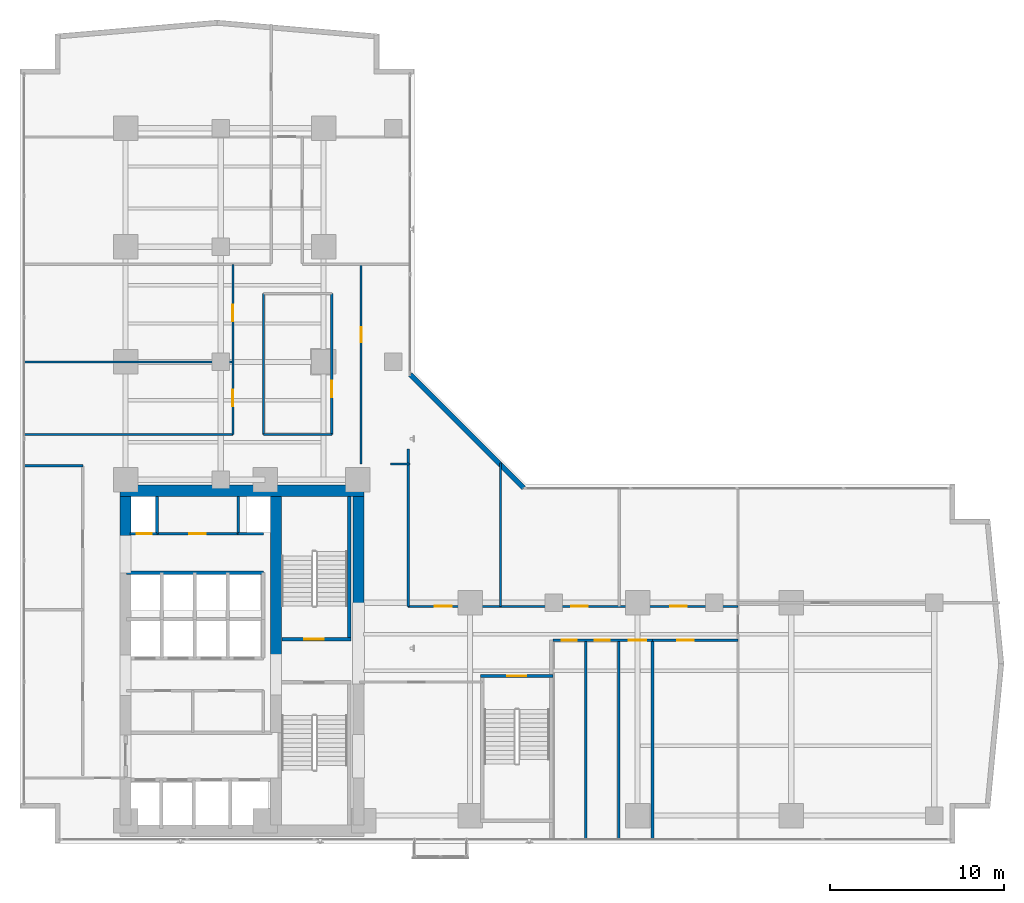
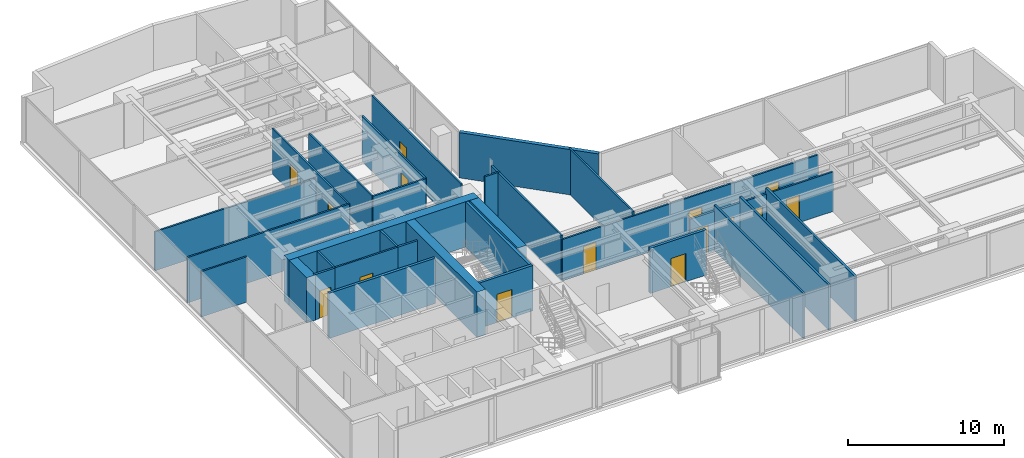
# One storey, part 20 of 26: 31 walls, 15 doors, 15 openings.
"""IFC4 building model written with IfcOpenShell, lengths in metres."""

from ifc_helpers import new_model, si_unit, direction, frame, frame_2d, origin, place, context, subcontext, project, spatial, rectangle, extrude, material, layer, layer_set, type_object, element, fill, save


model = new_model("IFC4")

# Units and contexts
model_context = context("Model", 3, precision=1e-05, world=origin(), true_north=direction((0.0, 1.0)))
body_context = subcontext(model_context, "Body", "Model", "MODEL_VIEW")
ifc_project = project(units=[si_unit("LENGTHUNIT", "METRE"), si_unit("AREAUNIT", "SQUARE_METRE"), si_unit("VOLUMEUNIT", "CUBIC_METRE"), si_unit("PLANEANGLEUNIT", "RADIAN"), si_unit("MASSUNIT", "GRAM", prefix="KILO")], contexts=[model_context])

# Site, building, storey
site_placement = place(None, origin())
site = spatial("IfcSite", under=ifc_project, at=site_placement, CompositionType="ELEMENT")
building_placement = place(site_placement, origin())
building = spatial("IfcBuilding", under=site, at=building_placement, Name="Kolvaren Waterfront Exchange", CompositionType="ELEMENT")
storey_placement = place(building_placement, frame((0.0, 0.0, 122.10009765625)))
storey = spatial("IfcBuildingStorey", under=building, at=storey_placement, Name="L31", CompositionType="ELEMENT", Elevation=122.10009765625)

# Wall
ifc_material_1 = material(Name="Precast concrete C40/50", Category="concrete")
ifc_layer_1 = layer(ifc_material_1, 0.280029296875, Name="Precast concrete C40/50")
ifc_layer_set_1 = layer_set([ifc_layer_1], Name="Precast concrete C40/50")
wall_type_1 = type_object("IfcWallType", Name="ARC-EXT-TERR-280", PredefinedType="SOLIDWALL", material=ifc_layer_set_1)
wall_1_placement = place(storey_placement, frame((30.284912109375, 23.97509765625, 0.0), z_axis=(0.0, 0.0, 1.0), x_axis=(-0.707106781187, 0.707106781187, 0.0)))
element("IfcWall", 1, at=wall_1_placement, inside=storey, type_object=wall_type_1, Name="L31 notched corner spandrel pier ELBOW", PredefinedType="SOLIDWALL", context=body_context, shape_type="SweptSolid", body=[
    extrude(rectangle(XDim=9.20654296875, YDim=0.280029296875, at=frame_2d((4.603271484375, 0.0))), origin(), (0.0, 0.0, 1.0), 3.539794921875),
])

# Wall, opening, door
ifc_layer_2 = layer(ifc_material_1, 0.199951171875, Name="Precast concrete C40/50")
ifc_layer_set_2 = layer_set([ifc_layer_2], Name="Precast concrete C40/50")
wall_type_2 = type_object("IfcWallType", Name="ARC-FIRE-200", PredefinedType="PARTITIONING", material=ifc_layer_set_2)
wall_2_placement = place(storey_placement, frame((16.409912109375, 15.300048828125, 0.0), z_axis=(0.0, 0.0, 1.0), x_axis=(1.0, 0.0, 0.0)))
wall_2 = element("IfcWall", 2, at=wall_2_placement, inside=storey, type_object=wall_type_2, Name="L31 interior wall PW-L31-ST2-THROAT-N", PredefinedType="PARTITIONING", context=body_context, shape_type="SweptSolid", body=[
    extrude(rectangle(XDim=3.9501953125, YDim=0.199951171875, at=frame_2d((1.97509765625, 0.0))), origin(), (0.0, 0.0, 1.0), 3.539794921875),
])
opening_1_placement = place(wall_2_placement, frame((1.293701171875, 0.0, 0.0)))
opening_1 = element("IfcOpeningElement", 3, at=opening_1_placement, cuts=wall_2, Name="Opening FD2", PredefinedType="OPENING", context=body_context, shape_type="SweptSolid", body=[
    extrude(rectangle(XDim=1.10009765625, YDim=2.199951171875, at=frame_2d((0.550048828125, 1.10009765625))), frame((0.0, 0.10986328125, 0.0), z_axis=(0.0, -1.0, 0.0), x_axis=(1.0, 0.0, 0.0)), (0.0, 0.0, 1.0), 0.219970703125),
])
ifc_material_2 = material(Name="Pressed steel smoke-seal fire door", Category="steel")
door_type_1 = type_object("IfcDoorType", Name="ARC-FD-1100", OperationType="NOTDEFINED", PredefinedType="DOOR", material=ifc_material_2)
door_1_placement = place(opening_1_placement, origin())
door_1 = element("IfcDoor", 4, at=door_1_placement, inside=storey, type_object=door_type_1, Name="L31 door DR-L31-ST2-IN (FD2)", OperationType="SINGLE_SWING_RIGHT", OverallHeight=2.199951171875, OverallWidth=1.10009765625, PredefinedType="DOOR", context=body_context, shape_type="SweptSolid", body=[
    extrude(rectangle(XDim=1.10009765625, YDim=2.199951171875, at=frame_2d((0.550048828125, 1.10009765625))), frame((0.0, 0.02490234375, 0.0), z_axis=(0.0, -1.0, 0.0), x_axis=(1.0, 0.0, 0.0)), (0.0, 0.0, 1.0), 0.050048828125),
])
fill(opening_1, door_1)

ifc_material_3 = material(Name="Acoustic gypsum steel stud", Category="steel")
ifc_layer_3 = layer(ifc_material_3, 0.125, Name="Acoustic gypsum steel stud")
ifc_layer_set_3 = layer_set([ifc_layer_3], Name="Acoustic gypsum steel stud")
wall_type_3 = type_object("IfcWallType", Name="ARC-PART-125", PredefinedType="PARTITIONING", material=ifc_layer_set_3)
wall_3_placement = place(storey_placement, frame((9.25, 21.35009765625, 0.0), z_axis=(0.0, 0.0, 1.0), x_axis=(1.0, 0.0, 0.0)))
wall_3 = element("IfcWall", 5, at=wall_3_placement, inside=storey, type_object=wall_type_3, Name="L31 interior wall PW-L31-SVC-EX-S", PredefinedType="PARTITIONING", context=body_context, shape_type="SweptSolid", body=[
    extrude(rectangle(XDim=4.64990234375, YDim=0.125, at=frame_2d((2.324951171875, 0.0))), origin(), (0.0, 0.0, 1.0), 3.539794921875),
])
opening_2_placement = place(wall_3_placement, frame((1.85009765625, 0.0, 0.0)))
opening_2 = element("IfcOpeningElement", 6, at=opening_2_placement, cuts=wall_3, Name="Opening D02", PredefinedType="OPENING", context=body_context, shape_type="SweptSolid", body=[
    extrude(rectangle(XDim=0.949951171875, YDim=2.14990234375, at=frame_2d((0.47509765625, 1.074951171875))), frame((0.0, 0.072509765625, 0.0), z_axis=(0.0, -1.0, 0.0), x_axis=(1.0, 0.0, 0.0)), (0.0, 0.0, 1.0), 0.14501953125),
])
ifc_material_4 = material(Name="Oak veneer acoustic timber", Category="wood")
door_type_2 = type_object("IfcDoorType", Name="ARC-DR-950", OperationType="NOTDEFINED", PredefinedType="DOOR", material=ifc_material_4)
door_2_placement = place(opening_2_placement, origin())
door_2 = element("IfcDoor", 7, at=door_2_placement, inside=storey, type_object=door_type_2, Name="L31 door DR-L31-SVC-DR-1 (D02)", OperationType="SINGLE_SWING_RIGHT", OverallHeight=2.14990234375, OverallWidth=0.949951171875, PredefinedType="DOOR", context=body_context, shape_type="SweptSolid", body=[
    extrude(rectangle(XDim=0.949951171875, YDim=2.14990234375, at=frame_2d((0.47509765625, 1.074951171875))), frame((0.0, 0.02490234375, 0.0), z_axis=(0.0, -1.0, 0.0), x_axis=(1.0, 0.0, 0.0)), (0.0, 0.0, 1.0), 0.050048828125),
])
fill(opening_2, door_2)

# Walls
wall_4_placement = place(storey_placement, frame((15.35009765625, 27.050048828125, 0.0), z_axis=(0.0, 0.0, 1.0), x_axis=(1.0, 0.0, 0.0)))
element("IfcWall", 8, at=wall_4_placement, inside=storey, type_object=wall_type_3, Name="L31 interior wall PW-L31-ISL-S", PredefinedType="PARTITIONING", context=body_context, shape_type="SweptSolid", body=[
    extrude(rectangle(XDim=3.919921875, YDim=0.125, at=frame_2d((1.9599609375, 0.0))), origin(), (0.0, 0.0, 1.0), 3.539794921875),
])
wall_5_placement = place(storey_placement, frame((15.35009765625, 27.050048828125, 0.0), z_axis=(0.0, 0.0, 1.0), x_axis=(0.0, 1.0, 0.0)))
element("IfcWall", 9, at=wall_5_placement, inside=storey, type_object=wall_type_3, Name="L31 interior wall PW-L31-ISL-W", PredefinedType="PARTITIONING", context=body_context, shape_type="SweptSolid", body=[
    extrude(rectangle(XDim=8.070068359375, YDim=0.125, at=frame_2d((4.03515625, 0.0))), origin(), (0.0, 0.0, 1.0), 3.539794921875),
])

# Wall, opening, door
wall_6_placement = place(storey_placement, frame((19.27001953125, 27.050048828125, 0.0), z_axis=(0.0, 0.0, 1.0), x_axis=(0.0, 1.0, 0.0)))
wall_6 = element("IfcWall", 10, at=wall_6_placement, inside=storey, type_object=wall_type_3, Name="L31 interior wall PW-L31-ISL-E", PredefinedType="PARTITIONING", context=body_context, shape_type="SweptSolid", body=[
    extrude(rectangle(XDim=8.070068359375, YDim=0.125, at=frame_2d((4.03515625, 0.0))), origin(), (0.0, 0.0, 1.0), 3.539794921875),
])
opening_3_placement = place(wall_6_placement, frame((2.126708984375, 0.0, 0.0)))
opening_3 = element("IfcOpeningElement", 11, at=opening_3_placement, cuts=wall_6, Name="Opening D02", PredefinedType="OPENING", context=body_context, shape_type="SweptSolid", body=[
    extrude(rectangle(XDim=0.949951171875, YDim=2.14990234375, at=frame_2d((0.47509765625, 1.074951171875))), frame((0.0, 0.072509765625, 0.0), z_axis=(0.0, -1.0, 0.0), x_axis=(1.0, 0.0, 0.0)), (0.0, 0.0, 1.0), 0.14501953125),
])
door_3_placement = place(opening_3_placement, origin())
door_3 = element("IfcDoor", 12, at=door_3_placement, inside=storey, type_object=door_type_2, Name="L31 door DR-L31-ISL-D (D02)", OperationType="SINGLE_SWING_LEFT", OverallHeight=2.14990234375, OverallWidth=0.949951171875, PredefinedType="DOOR", context=body_context, shape_type="SweptSolid", body=[
    extrude(rectangle(XDim=0.949951171875, YDim=2.14990234375, at=frame_2d((0.47509765625, 1.074951171875))), frame((0.0, 0.02490234375, 0.0), z_axis=(0.0, -1.0, 0.0), x_axis=(1.0, 0.0, 0.0)), (0.0, 0.0, 1.0), 0.050048828125),
])
fill(opening_3, door_3)

# Wall, openings, doors
wall_7_placement = place(storey_placement, frame((13.60009765625, 27.050048828125, 0.0), z_axis=(0.0, 0.0, 1.0), x_axis=(0.0, 1.0, 0.0)))
wall_7 = element("IfcWall", 13, at=wall_7_placement, inside=storey, type_object=wall_type_3, Name="L31 interior wall PW-L31-MWL-E", PredefinedType="PARTITIONING", context=body_context, shape_type="SweptSolid", body=[
    extrude(rectangle(XDim=9.75, YDim=0.125, at=frame_2d((4.875, 0.0))), origin(), (0.0, 0.0, 1.0), 3.539794921875),
])
opening_4_placement = place(wall_7_placement, frame((1.60009765625, 0.0, 0.0)))
opening_4 = element("IfcOpeningElement", 14, at=opening_4_placement, cuts=wall_7, Name="Opening D02", PredefinedType="OPENING", context=body_context, shape_type="SweptSolid", body=[
    extrude(rectangle(XDim=0.949951171875, YDim=2.14990234375, at=frame_2d((0.47509765625, 1.074951171875))), frame((0.0, 0.072509765625, 0.0), z_axis=(0.0, -1.0, 0.0), x_axis=(1.0, 0.0, 0.0)), (0.0, 0.0, 1.0), 0.14501953125),
])
opening_5_placement = place(wall_7_placement, frame((6.47509765625, 0.0, 0.0)))
opening_5 = element("IfcOpeningElement", 15, at=opening_5_placement, cuts=wall_7, Name="Opening D02", PredefinedType="OPENING", context=body_context, shape_type="SweptSolid", body=[
    extrude(rectangle(XDim=0.949951171875, YDim=2.14990234375, at=frame_2d((0.47509765625, 1.074951171875))), frame((0.0, 0.072509765625, 0.0), z_axis=(0.0, -1.0, 0.0), x_axis=(1.0, 0.0, 0.0)), (0.0, 0.0, 1.0), 0.14501953125),
])
door_4_placement = place(opening_4_placement, origin())
door_4 = element("IfcDoor", 16, at=door_4_placement, inside=storey, type_object=door_type_2, Name="L31 door DR-L31-MWL1A-D (D02)", OperationType="SINGLE_SWING_LEFT", OverallHeight=2.14990234375, OverallWidth=0.949951171875, PredefinedType="DOOR", context=body_context, shape_type="SweptSolid", body=[
    extrude(rectangle(XDim=0.949951171875, YDim=2.14990234375, at=frame_2d((0.47509765625, 1.074951171875))), frame((0.0, 0.02490234375, 0.0), z_axis=(0.0, -1.0, 0.0), x_axis=(1.0, 0.0, 0.0)), (0.0, 0.0, 1.0), 0.050048828125),
])
fill(opening_4, door_4)
door_5_placement = place(opening_5_placement, origin())
door_5 = element("IfcDoor", 17, at=door_5_placement, inside=storey, type_object=door_type_2, Name="L31 door DR-L31-MWL1B-D (D02)", OperationType="SINGLE_SWING_RIGHT", OverallHeight=2.14990234375, OverallWidth=0.949951171875, PredefinedType="DOOR", context=body_context, shape_type="SweptSolid", body=[
    extrude(rectangle(XDim=0.949951171875, YDim=2.14990234375, at=frame_2d((0.47509765625, 1.074951171875))), frame((0.0, 0.02490234375, 0.0), z_axis=(0.0, -1.0, 0.0), x_axis=(1.0, 0.0, 0.0)), (0.0, 0.0, 1.0), 0.050048828125),
])
fill(opening_5, door_5)

# Walls
wall_8_placement = place(storey_placement, frame((1.639892578125, 27.050048828125, 0.0), z_axis=(0.0, 0.0, 1.0), x_axis=(1.0, 0.0, 0.0)))
element("IfcWall", 18, at=wall_8_placement, inside=storey, type_object=wall_type_3, Name="L31 interior wall PW-L31-MWL-S", PredefinedType="PARTITIONING", context=body_context, shape_type="SweptSolid", body=[
    extrude(rectangle(XDim=11.960205078125, YDim=0.125, at=frame_2d((5.97998046875, 0.0))), origin(), (0.0, 0.0, 1.0), 3.539794921875),
])
wall_9_placement = place(storey_placement, frame((1.639892578125, 31.199951171875, 0.0), z_axis=(0.0, 0.0, 1.0), x_axis=(1.0, 0.0, 0.0)))
element("IfcWall", 19, at=wall_9_placement, inside=storey, type_object=wall_type_3, Name="L31 interior wall PW-L31-MWL-M", PredefinedType="PARTITIONING", context=body_context, shape_type="SweptSolid", body=[
    extrude(rectangle(XDim=11.960205078125, YDim=0.125, at=frame_2d((5.97998046875, 0.0))), origin(), (0.0, 0.0, 1.0), 3.039794921875),
])
wall_10_placement = place(storey_placement, frame((1.639892578125, 25.25, 0.0), z_axis=(0.0, 0.0, 1.0), x_axis=(1.0, 0.0, 0.0)))
element("IfcWall", 20, at=wall_10_placement, inside=storey, type_object=wall_type_3, Name="L31 interior wall PW-L31-WFLANK-N", PredefinedType="PARTITIONING", context=body_context, shape_type="SweptSolid", body=[
    extrude(rectangle(XDim=3.360107421875, YDim=0.125, at=frame_2d((1.68017578125, 0.0))), origin(), (0.0, 0.0, 1.0), 3.539794921875),
])

# Wall, opening, door
wall_11_placement = place(storey_placement, frame((20.949951171875, 25.35009765625, 0.0), z_axis=(0.0, 0.0, 1.0), x_axis=(0.0, 1.0, 0.0)))
wall_11 = element("IfcWall", 21, at=wall_11_placement, inside=storey, type_object=wall_type_3, Name="L31 interior wall PW-L31-RFLANK-W", PredefinedType="PARTITIONING", context=body_context, shape_type="SweptSolid", body=[
    extrude(rectangle(XDim=11.449951171875, YDim=0.125, at=frame_2d((5.72509765625, 0.0))), origin(), (0.0, 0.0, 1.0), 3.539794921875),
])
opening_6_placement = place(wall_11_placement, frame((6.976806640625, 0.0, 0.0)))
opening_6 = element("IfcOpeningElement", 22, at=opening_6_placement, cuts=wall_11, Name="Opening D01", PredefinedType="OPENING", context=body_context, shape_type="SweptSolid", body=[
    extrude(rectangle(XDim=0.85009765625, YDim=2.14990234375, at=frame_2d((0.425048828125, 1.074951171875))), frame((0.0, 0.072509765625, 0.0), z_axis=(0.0, -1.0, 0.0), x_axis=(1.0, 0.0, 0.0)), (0.0, 0.0, 1.0), 0.14501953125),
])
ifc_material_5 = material(Name="Oak veneer timber leaf", Category="wood")
door_type_3 = type_object("IfcDoorType", Name="ARC-DR-900", OperationType="NOTDEFINED", PredefinedType="DOOR", material=ifc_material_5)
door_6_placement = place(opening_6_placement, origin())
door_6 = element("IfcDoor", 23, at=door_6_placement, inside=storey, type_object=door_type_3, Name="L31 door DR-L31-RFLANK-D (D01)", OperationType="SINGLE_SWING_LEFT", OverallHeight=2.14990234375, OverallWidth=0.85009765625, PredefinedType="DOOR", context=body_context, shape_type="SweptSolid", body=[
    extrude(rectangle(XDim=0.85009765625, YDim=2.14990234375, at=frame_2d((0.425048828125, 1.074951171875))), frame((0.0, 0.02490234375, 0.0), z_axis=(0.0, -1.0, 0.0), x_axis=(1.0, 0.0, 0.0)), (0.0, 0.0, 1.0), 0.050048828125),
])
fill(opening_6, door_6)

# Wall
wall_12_placement = place(storey_placement, frame((22.64990234375, 25.35009765625, 0.0), z_axis=(0.0, 0.0, 1.0), x_axis=(1.0, 0.0, 0.0)))
element("IfcWall", 24, at=wall_12_placement, inside=storey, type_object=wall_type_3, Name="L31 interior wall PW-L31-RFLANK-S", PredefinedType="PARTITIONING", context=body_context, shape_type="SweptSolid", body=[
    extrude(rectangle(XDim=1.110107421875, YDim=0.125, at=frame_2d((0.55517578125, 0.0))), origin(), (0.0, 0.0, 1.0), 3.539794921875),
])

# Wall, opening, door
wall_13_placement = place(storey_placement, frame((37.64990234375, 15.25, 0.0), z_axis=(0.0, 0.0, 1.0), x_axis=(1.0, 0.0, 0.0)))
wall_13 = element("IfcWall", 25, at=wall_13_placement, inside=storey, type_object=wall_type_3, Name="L31 interior wall PW-L31-ES-CORR", PredefinedType="PARTITIONING", context=body_context, shape_type="SweptSolid", body=[
    extrude(rectangle(XDim=4.900146484375, YDim=0.125, at=frame_2d((2.4501953125, 0.0))), origin(), (0.0, 0.0, 1.0), 3.08984375),
])
opening_7_placement = place(wall_13_placement, frame((1.4267578125, 0.0, 0.0)))
opening_7 = element("IfcOpeningElement", 26, at=opening_7_placement, cuts=wall_13, Name="Opening D02", PredefinedType="OPENING", context=body_context, shape_type="SweptSolid", body=[
    extrude(rectangle(XDim=0.949951171875, YDim=2.14990234375, at=frame_2d((0.47509765625, 1.074951171875))), frame((0.0, 0.072509765625, 0.0), z_axis=(0.0, -1.0, 0.0), x_axis=(1.0, 0.0, 0.0)), (0.0, 0.0, 1.0), 0.14501953125),
])
door_7_placement = place(opening_7_placement, origin())
door_7 = element("IfcDoor", 27, at=door_7_placement, inside=storey, type_object=door_type_2, Name="L31 door DR-L31-ES-D-1 (D02)", OperationType="SINGLE_SWING_RIGHT", OverallHeight=2.14990234375, OverallWidth=0.949951171875, PredefinedType="DOOR", context=body_context, shape_type="SweptSolid", body=[
    extrude(rectangle(XDim=0.949951171875, YDim=2.14990234375, at=frame_2d((0.47509765625, 1.074951171875))), frame((0.0, 0.02490234375, 0.0), z_axis=(0.0, -1.0, 0.0), x_axis=(1.0, 0.0, 0.0)), (0.0, 0.0, 1.0), 0.050048828125),
])
fill(opening_7, door_7)

# Wall
wall_14_placement = place(storey_placement, frame((23.64990234375, 17.18994140625, 0.0), z_axis=(0.0, 0.0, 1.0), x_axis=(0.0, 1.0, 0.0)))
element("IfcWall", 28, at=wall_14_placement, inside=storey, type_object=wall_type_3, Name="L31 interior wall PW-L31-EN-W0", PredefinedType="PARTITIONING", context=body_context, shape_type="SweptSolid", body=[
    extrude(rectangle(XDim=9.010009765625, YDim=0.125, at=frame_2d((4.5048828125, 0.0))), origin(), (0.0, 0.0, 1.0), 3.539794921875),
])

# Wall, openings, doors
wall_15_placement = place(storey_placement, frame((23.64990234375, 17.18994140625, 0.0), z_axis=(0.0, 0.0, 1.0), x_axis=(1.0, 0.0, 0.0)))
wall_15 = element("IfcWall", 29, at=wall_15_placement, inside=storey, type_object=wall_type_3, Name="L31 interior wall PW-L31-EN-CORR", PredefinedType="PARTITIONING", context=body_context, shape_type="SweptSolid", body=[
    extrude(rectangle(XDim=18.900146484375, YDim=0.125, at=frame_2d((9.4501953125, 0.0))), origin(), (0.0, 0.0, 1.0), 3.239990234375),
])
opening_8_placement = place(wall_15_placement, frame((1.53271484375, 0.0, 0.0)))
opening_8 = element("IfcOpeningElement", 30, at=opening_8_placement, cuts=wall_15, Name="Opening D02", PredefinedType="OPENING", context=body_context, shape_type="SweptSolid", body=[
    extrude(rectangle(XDim=0.949951171875, YDim=2.14990234375, at=frame_2d((0.47509765625, 1.074951171875))), frame((0.0, 0.072509765625, 0.0), z_axis=(0.0, -1.0, 0.0), x_axis=(1.0, 0.0, 0.0)), (0.0, 0.0, 1.0), 0.14501953125),
])
opening_9_placement = place(wall_15_placement, frame((9.344482421875, 0.0, 0.0)))
opening_9 = element("IfcOpeningElement", 31, at=opening_9_placement, cuts=wall_15, Name="Opening D02", PredefinedType="OPENING", context=body_context, shape_type="SweptSolid", body=[
    extrude(rectangle(XDim=0.949951171875, YDim=2.14990234375, at=frame_2d((0.47509765625, 1.074951171875))), frame((0.0, 0.072509765625, 0.0), z_axis=(0.0, -1.0, 0.0), x_axis=(1.0, 0.0, 0.0)), (0.0, 0.0, 1.0), 0.14501953125),
])
opening_10_placement = place(wall_15_placement, frame((15.02490234375, 0.0, 0.0)))
opening_10 = element("IfcOpeningElement", 32, at=opening_10_placement, cuts=wall_15, Name="Opening D02", PredefinedType="OPENING", context=body_context, shape_type="SweptSolid", body=[
    extrude(rectangle(XDim=0.949951171875, YDim=2.14990234375, at=frame_2d((0.47509765625, 1.074951171875))), frame((0.0, 0.072509765625, 0.0), z_axis=(0.0, -1.0, 0.0), x_axis=(1.0, 0.0, 0.0)), (0.0, 0.0, 1.0), 0.14501953125),
])
door_8_placement = place(opening_8_placement, origin())
door_8 = element("IfcDoor", 33, at=door_8_placement, inside=storey, type_object=door_type_2, Name="L31 door DR-L31-EN-D-1 (D02)", OperationType="SINGLE_SWING_LEFT", OverallHeight=2.14990234375, OverallWidth=0.949951171875, PredefinedType="DOOR", context=body_context, shape_type="SweptSolid", body=[
    extrude(rectangle(XDim=0.949951171875, YDim=2.14990234375, at=frame_2d((0.47509765625, 1.074951171875))), frame((0.0, 0.02490234375, 0.0), z_axis=(0.0, -1.0, 0.0), x_axis=(1.0, 0.0, 0.0)), (0.0, 0.0, 1.0), 0.050048828125),
])
fill(opening_8, door_8)
door_9_placement = place(opening_9_placement, origin())
door_9 = element("IfcDoor", 34, at=door_9_placement, inside=storey, type_object=door_type_2, Name="L31 door DR-L31-EN-D-2 (D02)", OperationType="SINGLE_SWING_RIGHT", OverallHeight=2.14990234375, OverallWidth=0.949951171875, PredefinedType="DOOR", context=body_context, shape_type="SweptSolid", body=[
    extrude(rectangle(XDim=0.949951171875, YDim=2.14990234375, at=frame_2d((0.47509765625, 1.074951171875))), frame((0.0, 0.02490234375, 0.0), z_axis=(0.0, -1.0, 0.0), x_axis=(1.0, 0.0, 0.0)), (0.0, 0.0, 1.0), 0.050048828125),
])
fill(opening_9, door_9)
door_10_placement = place(opening_10_placement, origin())
door_10 = element("IfcDoor", 35, at=door_10_placement, inside=storey, type_object=door_type_2, Name="L31 door DR-L31-EN-D-3 (D02)", OperationType="SINGLE_SWING_LEFT", OverallHeight=2.14990234375, OverallWidth=0.949951171875, PredefinedType="DOOR", context=body_context, shape_type="SweptSolid", body=[
    extrude(rectangle(XDim=0.949951171875, YDim=2.14990234375, at=frame_2d((0.47509765625, 1.074951171875))), frame((0.0, 0.02490234375, 0.0), z_axis=(0.0, -1.0, 0.0), x_axis=(1.0, 0.0, 0.0)), (0.0, 0.0, 1.0), 0.050048828125),
])
fill(opening_10, door_10)

# Walls
wall_16_placement = place(storey_placement, frame((28.93994140625, 17.18994140625, 0.0), z_axis=(0.0, 0.0, 1.0), x_axis=(0.0, 1.0, 0.0)))
element("IfcWall", 36, at=wall_16_placement, inside=storey, type_object=wall_type_3, Name="L31 interior wall PW-L31-EN-DIV-1", PredefinedType="PARTITIONING", context=body_context, shape_type="SweptSolid", body=[
    extrude(rectangle(XDim=8.22998046875, YDim=0.125, at=frame_2d((4.114990234375, 0.0))), origin(), (0.0, 0.0, 1.0), 3.539794921875),
])
ifc_material_6 = material(Name="Gypsum fireboard steel stud", Category="steel")
ifc_layer_4 = layer(ifc_material_6, 0.14990234375, Name="Gypsum fireboard steel stud")
ifc_layer_set_4 = layer_set([ifc_layer_4], Name="Gypsum fireboard steel stud")
wall_type_4 = type_object("IfcWallType", Name="ARC-PART-150", PredefinedType="PARTITIONING", material=ifc_layer_set_4)
for number, where, z_axis, x_axis, name in (
    (37, (9.25, 21.35009765625, 0.0), (0.0, 0.0, 1.0), (0.0, 1.0, 0.0), "L31 interior wall PW-L31-SVC-R1"),
    (38, (13.89990234375, 21.35009765625, 0.0), (0.0, 0.0, 1.0), (0.0, 1.0, 0.0), "L31 interior wall PW-L31-SVC-R2"),
):
    element("IfcWall", number, at=place(storey_placement, frame(where, z_axis=z_axis, x_axis=x_axis)), inside=storey, type_object=wall_type_4, Name=name, PredefinedType="PARTITIONING", context=body_context, shape_type="SweptSolid", body=[
        extrude(rectangle(XDim=2.1298828125, YDim=0.14990234375, at=frame_2d((1.06494140625, 0.0))), origin(), (0.0, 0.0, 1.0), 3.539794921875),
    ])

# Wall, opening, door
wall_17_placement = place(storey_placement, frame((7.699951171875, 21.35009765625, 0.0), z_axis=(0.0, 0.0, 1.0), x_axis=(1.0, 0.0, 0.0)))
wall_17 = element("IfcWall", 39, at=wall_17_placement, inside=storey, type_object=wall_type_4, Name="L31 interior wall PW-L31-SVC-RE-S", PredefinedType="PARTITIONING", context=body_context, shape_type="SweptSolid", body=[
    extrude(rectangle(XDim=1.550048828125, YDim=0.14990234375, at=frame_2d((0.77490234375, 0.0))), origin(), (0.0, 0.0, 1.0), 3.539794921875),
])
opening_11_placement = place(wall_17_placement, frame((0.389892578125, 0.0, 0.0)))
opening_11 = element("IfcOpeningElement", 40, at=opening_11_placement, cuts=wall_17, Name="Opening FD1", PredefinedType="OPENING", context=body_context, shape_type="SweptSolid", body=[
    extrude(rectangle(XDim=0.85009765625, YDim=2.14990234375, at=frame_2d((0.425048828125, 1.074951171875))), frame((0.0, 0.0849609375, 0.0), z_axis=(0.0, -1.0, 0.0), x_axis=(1.0, 0.0, 0.0)), (0.0, 0.0, 1.0), 0.169921875),
])
ifc_material_7 = material(Name="Pressed steel fire leaf", Category="steel")
door_type_4 = type_object("IfcDoorType", Name="ARC-FD-900", OperationType="NOTDEFINED", PredefinedType="DOOR", material=ifc_material_7)
door_11_placement = place(opening_11_placement, origin())
door_11 = element("IfcDoor", 41, at=door_11_placement, inside=storey, type_object=door_type_4, Name="L31 door DR-L31-RISER-E-DR (FD1)", OperationType="SINGLE_SWING_LEFT", OverallHeight=2.14990234375, OverallWidth=0.85009765625, PredefinedType="DOOR", context=body_context, shape_type="SweptSolid", body=[
    extrude(rectangle(XDim=0.85009765625, YDim=2.14990234375, at=frame_2d((0.425048828125, 1.074951171875))), frame((0.0, 0.02490234375, 0.0), z_axis=(0.0, -1.0, 0.0), x_axis=(1.0, 0.0, 0.0)), (0.0, 0.0, 1.0), 0.050048828125),
])
fill(opening_11, door_11)

# Wall
wall_18_placement = place(storey_placement, frame((13.89990234375, 21.35009765625, 0.0), z_axis=(0.0, 0.0, 1.0), x_axis=(1.0, 0.0, 0.0)))
element("IfcWall", 42, at=wall_18_placement, inside=storey, type_object=wall_type_4, Name="L31 interior wall PW-L31-SVC-RP-S", PredefinedType="PARTITIONING", context=body_context, shape_type="SweptSolid", body=[
    extrude(rectangle(XDim=1.4501953125, YDim=0.14990234375, at=frame_2d((0.72509765625, 0.0))), origin(), (0.0, 0.0, 1.0), 3.539794921875),
])

# Wall, openings, doors
ifc_material_8 = material(Name="Moisture-resistant gypsum stud")
ifc_layer_5 = layer(ifc_material_8, 0.14990234375, Name="Moisture-resistant gypsum stud")
ifc_layer_set_5 = layer_set([ifc_layer_5], Name="Moisture-resistant gypsum stud")
wall_type_5 = type_object("IfcWallType", Name="ARC-PLUMB-150", PredefinedType="PLUMBINGWALL", material=ifc_layer_set_5)
wall_19_placement = place(storey_placement, frame((31.949951171875, 15.25, 0.0), z_axis=(0.0, 0.0, 1.0), x_axis=(1.0, 0.0, 0.0)))
wall_19 = element("IfcWall", 43, at=wall_19_placement, inside=storey, type_object=wall_type_5, Name="L31 interior wall PW-L31-WC-N", PredefinedType="PLUMBINGWALL", context=body_context, shape_type="SweptSolid", body=[
    extrude(rectangle(XDim=5.699951171875, YDim=0.14990234375, at=frame_2d((2.85009765625, 0.0))), origin(), (0.0, 0.0, 1.0), 3.08984375),
])
opening_12_placement = place(wall_19_placement, frame((0.514892578125, 0.0, 0.0)))
opening_12 = element("IfcOpeningElement", 44, at=opening_12_placement, cuts=wall_19, Name="Opening D01", PredefinedType="OPENING", context=body_context, shape_type="SweptSolid", body=[
    extrude(rectangle(XDim=0.85009765625, YDim=2.14990234375, at=frame_2d((0.425048828125, 1.074951171875))), frame((0.0, 0.0849609375, 0.0), z_axis=(0.0, -1.0, 0.0), x_axis=(1.0, 0.0, 0.0)), (0.0, 0.0, 1.0), 0.169921875),
])
opening_13_placement = place(wall_19_placement, frame((2.39501953125, 0.0, 0.0)))
opening_13 = element("IfcOpeningElement", 45, at=opening_13_placement, cuts=wall_19, Name="Opening D01", PredefinedType="OPENING", context=body_context, shape_type="SweptSolid", body=[
    extrude(rectangle(XDim=0.85009765625, YDim=2.14990234375, at=frame_2d((0.425048828125, 1.074951171875))), frame((0.0, 0.0849609375, 0.0), z_axis=(0.0, -1.0, 0.0), x_axis=(1.0, 0.0, 0.0)), (0.0, 0.0, 1.0), 0.169921875),
])
opening_14_placement = place(wall_19_placement, frame((4.35009765625, 0.0, 0.0)))
opening_14 = element("IfcOpeningElement", 46, at=opening_14_placement, cuts=wall_19, Name="Opening D03", PredefinedType="OPENING", context=body_context, shape_type="SweptSolid", body=[
    extrude(rectangle(XDim=1.0, YDim=2.199951171875, at=frame_2d((0.5, 1.10009765625))), frame((0.0, 0.0849609375, 0.0), z_axis=(0.0, -1.0, 0.0), x_axis=(1.0, 0.0, 0.0)), (0.0, 0.0, 1.0), 0.169921875),
])
ifc_material_9 = material(Name="Oak veneer accessible timber", Category="wood")
door_type_5 = type_object("IfcDoorType", Name="ARC-DR-1000", OperationType="NOTDEFINED", PredefinedType="DOOR", material=ifc_material_9)
door_12_placement = place(opening_14_placement, origin())
door_12 = element("IfcDoor", 47, at=door_12_placement, inside=storey, type_object=door_type_5, Name="L31 door DR-L31-WCA-D (D03)", OperationType="SINGLE_SWING_RIGHT", OverallHeight=2.199951171875, OverallWidth=1.0, PredefinedType="DOOR", context=body_context, shape_type="SweptSolid", body=[
    extrude(rectangle(XDim=1.0, YDim=2.199951171875, at=frame_2d((0.5, 1.10009765625))), frame((0.0, 0.02490234375, 0.0), z_axis=(0.0, -1.0, 0.0), x_axis=(1.0, 0.0, 0.0)), (0.0, 0.0, 1.0), 0.050048828125),
])
fill(opening_14, door_12)
door_13_placement = place(opening_12_placement, origin())
door_13 = element("IfcDoor", 48, at=door_13_placement, inside=storey, type_object=door_type_3, Name="L31 door DR-L31-WCM-D (D01)", OperationType="SINGLE_SWING_RIGHT", OverallHeight=2.14990234375, OverallWidth=0.85009765625, PredefinedType="DOOR", context=body_context, shape_type="SweptSolid", body=[
    extrude(rectangle(XDim=0.85009765625, YDim=2.14990234375, at=frame_2d((0.425048828125, 1.074951171875))), frame((0.0, 0.02490234375, 0.0), z_axis=(0.0, -1.0, 0.0), x_axis=(1.0, 0.0, 0.0)), (0.0, 0.0, 1.0), 0.050048828125),
])
fill(opening_12, door_13)
door_14_placement = place(opening_13_placement, origin())
door_14 = element("IfcDoor", 49, at=door_14_placement, inside=storey, type_object=door_type_3, Name="L31 door DR-L31-WCF-D (D01)", OperationType="SINGLE_SWING_LEFT", OverallHeight=2.14990234375, OverallWidth=0.85009765625, PredefinedType="DOOR", context=body_context, shape_type="SweptSolid", body=[
    extrude(rectangle(XDim=0.85009765625, YDim=2.14990234375, at=frame_2d((0.425048828125, 1.074951171875))), frame((0.0, 0.02490234375, 0.0), z_axis=(0.0, -1.0, 0.0), x_axis=(1.0, 0.0, 0.0)), (0.0, 0.0, 1.0), 0.050048828125),
])
fill(opening_13, door_14)

# Walls
for number, where, z_axis, x_axis, name in (
    (50, (33.830078125, 3.840087890625, 0.0), (0.0, 0.0, 1.0), (0.0, 1.0, 0.0), "L31 interior wall PW-L31-WC-1"),
    (51, (35.7099609375, 3.840087890625, 0.0), (0.0, 0.0, 1.0), (0.0, 1.0, 0.0), "L31 interior wall PW-L31-WC-2"),
    (52, (37.64990234375, 3.840087890625, 0.0), (0.0, 0.0, 1.0), (0.0, 1.0, 0.0), "L31 interior wall PW-L31-WC-3"),
):
    element("IfcWall", number, at=place(storey_placement, frame(where, z_axis=z_axis, x_axis=x_axis)), inside=storey, type_object=wall_type_5, Name=name, PredefinedType="PLUMBINGWALL", context=body_context, shape_type="SweptSolid", body=[
        extrude(rectangle(XDim=11.409912109375, YDim=0.14990234375, at=frame_2d((5.705078125, 0.0))), origin(), (0.0, 0.0, 1.0), 3.539794921875),
    ])
ifc_material_10 = material(Name="Concrete C40/50", Category="concrete")
ifc_layer_6 = layer(ifc_material_10, 0.199951171875, Name="Concrete C40/50")
ifc_layer_set_6 = layer_set([ifc_layer_6], Name="Concrete C40/50")
wall_type_6 = type_object("IfcWallType", Name="ARC-SHAFT-200", PredefinedType="PARTITIONING", material=ifc_layer_set_6)
wall_20_placement = place(storey_placement, frame((20.260009765625, 15.39990234375, 0.0), z_axis=(0.0, 0.0, 1.0), x_axis=(0.0, 1.0, 0.0)))
element("IfcWall", 53, at=wall_20_placement, inside=storey, type_object=wall_type_6, Name="L31 structural stairwell wall PW-L31-ST2-E", PredefinedType="SHEAR", context=body_context, shape_type="SweptSolid", body=[
    extrude(rectangle(XDim=8.090087890625, YDim=0.199951171875, at=frame_2d((4.044921875, 0.0))), origin(), (0.0, 0.0, 1.0), 3.539794921875),
])

# Wall, opening, door
wall_21_placement = place(storey_placement, frame((27.800048828125, 13.199951171875, 0.0), z_axis=(0.0, 0.0, 1.0), x_axis=(1.0, 0.0, 0.0)))
wall_21 = element("IfcWall", 54, at=wall_21_placement, inside=storey, type_object=wall_type_6, Name="L31 structural stairwell wall PW-L31-ST3-N", PredefinedType="SHEAR", context=body_context, shape_type="SweptSolid", body=[
    extrude(rectangle(XDim=4.159912109375, YDim=0.199951171875, at=frame_2d((2.080078125, 0.0))), origin(), (0.0, 0.0, 1.0), 3.539794921875),
])
opening_15_placement = place(wall_21_placement, frame((1.530029296875, 0.0, 0.0)))
opening_15 = element("IfcOpeningElement", 55, at=opening_15_placement, cuts=wall_21, Name="Opening FD2", PredefinedType="OPENING", context=body_context, shape_type="SweptSolid", body=[
    extrude(rectangle(XDim=1.10009765625, YDim=2.199951171875, at=frame_2d((0.550048828125, 1.10009765625))), frame((0.0, 0.10986328125, 0.0), z_axis=(0.0, -1.0, 0.0), x_axis=(1.0, 0.0, 0.0)), (0.0, 0.0, 1.0), 0.219970703125),
])
door_15_placement = place(opening_15_placement, frame((1.10009765625, 0.0, 0.0), z_axis=(0.0, 0.0, 1.0), x_axis=(-1.0, 0.0, 0.0)))
door_15 = element("IfcDoor", 56, at=door_15_placement, inside=storey, type_object=door_type_1, Name="L31 door DR-L31-ST3-IN (FD2)", OperationType="SINGLE_SWING_LEFT", OverallHeight=2.199951171875, OverallWidth=1.10009765625, PredefinedType="DOOR", context=body_context, shape_type="SweptSolid", body=[
    extrude(rectangle(XDim=1.10009765625, YDim=2.199951171875, at=frame_2d((0.550048828125, 1.10009765625))), frame((0.0, 0.02490234375, 0.0), z_axis=(0.0, -1.0, 0.0), x_axis=(1.0, 0.0, 0.0)), (0.0, 0.0, 1.0), 0.050048828125),
])
fill(opening_15, door_15)

# Walls
wall_22_placement = place(storey_placement, frame((7.5, 19.1201171875, 0.0), z_axis=(0.0, 0.0, 1.0), x_axis=(1.0, 0.0, 0.0)))
element("IfcWall", 57, at=wall_22_placement, inside=storey, type_object=wall_type_6, Name="L31 interior wall PW-L31-PH-N", PredefinedType="PARTITIONING", context=body_context, shape_type="SweptSolid", body=[
    extrude(rectangle(XDim=7.85009765625, YDim=0.199951171875, at=frame_2d((3.925048828125, 0.0))), origin(), (0.0, 0.0, 1.0), 3.539794921875),
])
ifc_material_11 = material(Name="Concrete C60/75", Category="concrete")
ifc_layer_7 = layer(ifc_material_11, 0.64990234375, Name="Concrete C60/75")
ifc_layer_set_7 = layer_set([ifc_layer_7], Name="Concrete C60/75")
wall_type_7 = type_object("IfcWallType", Name="STR-CWALL-650", PredefinedType="SHEAR", material=ifc_layer_set_7)
wall_23_placement = place(storey_placement, frame((7.125, 23.824951171875, 0.0), z_axis=(0.0, 0.0, 1.0), x_axis=(1.0, 0.0, 0.0)))
element("IfcWall", 58, at=wall_23_placement, inside=storey, type_object=wall_type_7, Name="L31 rear-core shear wall N", PredefinedType="SHEAR", context=body_context, shape_type="SweptSolid", body=[
    extrude(rectangle(XDim=14.0, YDim=0.64990234375, at=frame_2d((7.0, 0.0))), origin(), (0.0, 0.0, 1.0), 3.539794921875),
])
wall_24_placement = place(storey_placement, frame((7.449951171875, 21.239990234375, 0.0), z_axis=(0.0, 0.0, 1.0), x_axis=(0.0, 1.0, 0.0)))
element("IfcWall", 59, at=wall_24_placement, inside=storey, type_object=wall_type_7, Name="L31 rear-core shear wall W3", PredefinedType="SHEAR", context=body_context, shape_type="SweptSolid", body=[
    extrude(rectangle(XDim=2.260009765625, YDim=0.64990234375, at=frame_2d((1.1298828125, 0.0))), origin(), (0.0, 0.0, 1.0), 3.539794921875),
])
wall_25_placement = place(storey_placement, frame((20.800048828125, 17.35009765625, 0.0), z_axis=(0.0, 0.0, 1.0), x_axis=(0.0, 1.0, 0.0)))
element("IfcWall", 60, at=wall_25_placement, inside=storey, type_object=wall_type_7, Name="L31 rear-core shear wall E3", PredefinedType="SHEAR", context=body_context, shape_type="SweptSolid", body=[
    extrude(rectangle(XDim=6.14990234375, YDim=0.64990234375, at=frame_2d((3.074951171875, 0.0))), origin(), (0.0, 0.0, 1.0), 3.539794921875),
])
wall_26_placement = place(storey_placement, frame((16.074951171875, 14.39990234375, 0.0), z_axis=(0.0, 0.0, 1.0), x_axis=(0.0, 1.0, 0.0)))
element("IfcWall", 61, at=wall_26_placement, inside=storey, type_object=wall_type_7, Name="L31 rear-core shear wall M3", PredefinedType="SHEAR", context=body_context, shape_type="SweptSolid", body=[
    extrude(rectangle(XDim=9.10009765625, YDim=0.64990234375, at=frame_2d((4.550048828125, 0.0))), origin(), (0.0, 0.0, 1.0), 3.539794921875),
])

save(model, "model.ifc")
